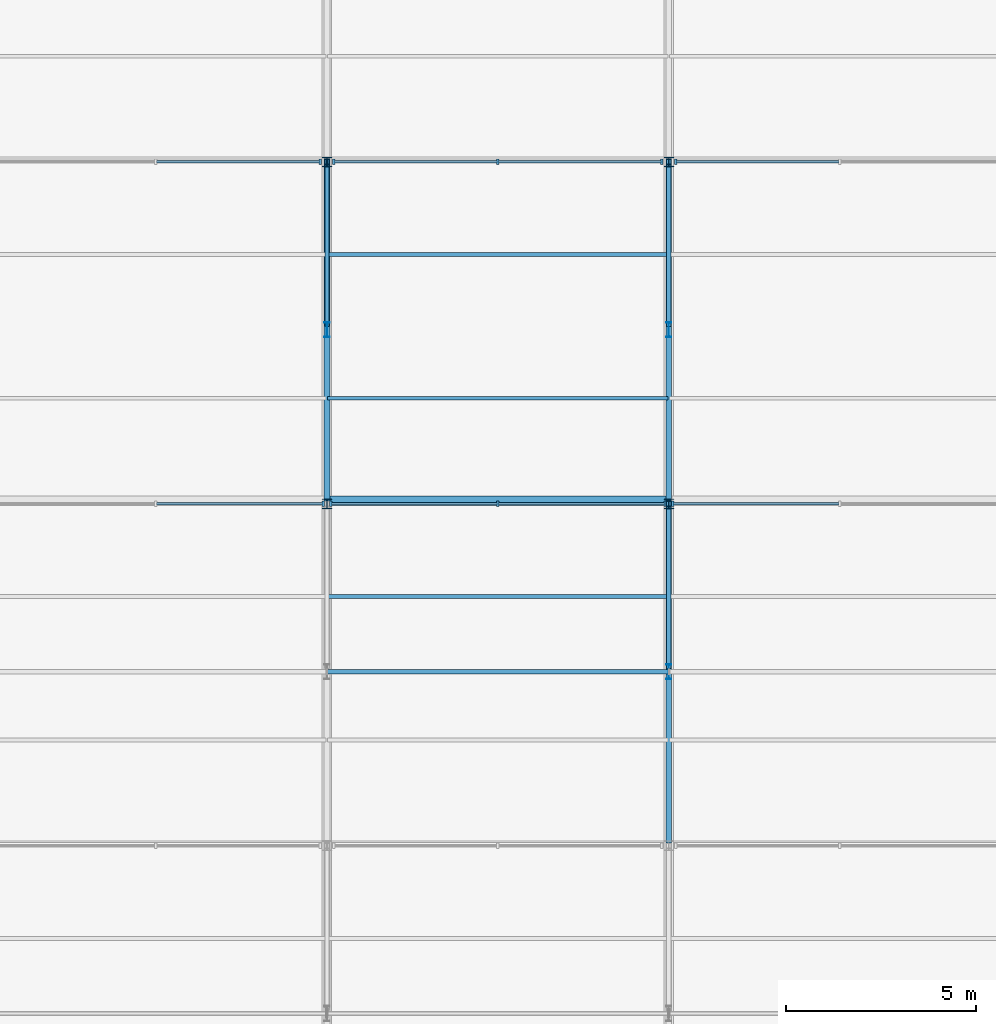
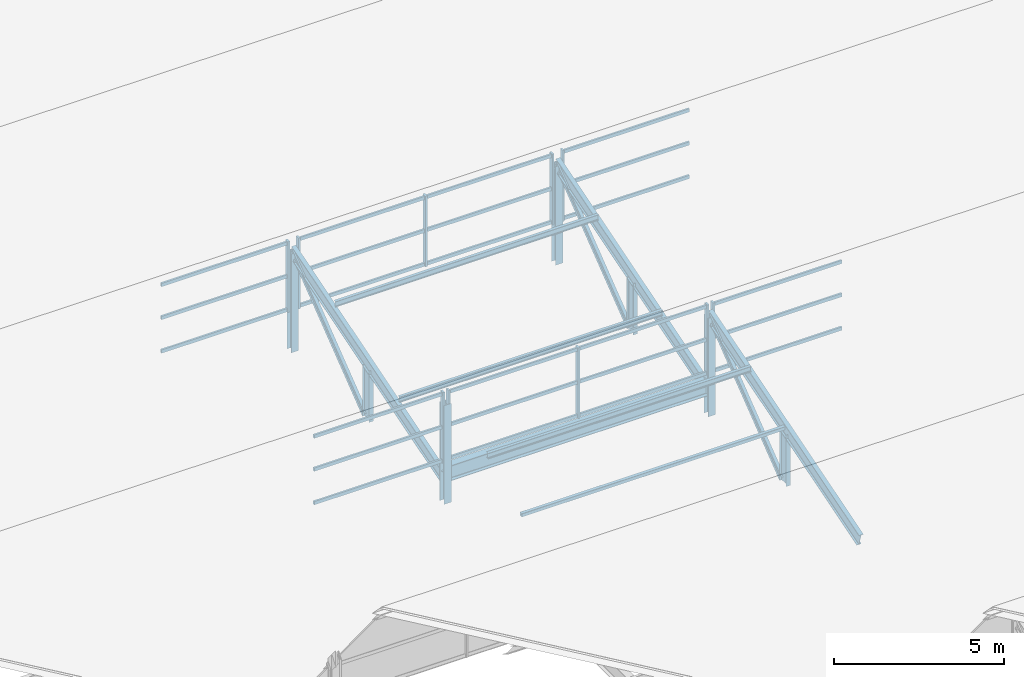
# One storey, part 49 of 163: 51 members, 1 beam, 6 elements without a shape of their own.
"""IFC4 building model written with IfcOpenShell, lengths in metres."""

import ifcopenshell
import ifcopenshell.guid

model = None  # the IFC model being written
_history = None  # IfcOwnerHistory: only IFC2X3 demands one
_inside = {}  # id of a spatial element -> (the spatial element, [elements in it])
_under = {}  # id of a project, library or spatial element -> (it, [spatial elements below it])
_declared = {}  # id of a project -> (the project, [libraries it declares])
_typed = {}  # id of a type object -> (the type object, [elements of that type])
_made_of = {}  # id of a material, layer set ... -> (it, [elements and type objects made of it])


def new_model(schema):
    """Start an empty IFC model of exactly this schema.

    Asked for "IFC4X3", IfcOpenShell would pick the latest addendum, in which some entities
    have other attributes; the version numbers below select the first issue.
    IFC2X3 requires an IfcOwnerHistory on every rooted entity: one is made here for all.
    """
    global model, _history
    if schema == "IFC4X3":
        model = ifcopenshell.file(schema_version=(4, 3, 0, 0))
    else:
        model = ifcopenshell.file(schema=schema)
    _inside.clear()
    _under.clear()
    _declared.clear()
    _typed.clear()
    _made_of.clear()
    _history = None
    if model.schema == "IFC2X3":
        org = make("IfcOrganization", Name="unknown")
        user = make(
            "IfcPersonAndOrganization",
            ThePerson=make("IfcPerson", FamilyName="unknown"),
            TheOrganization=org,
        )
        app = make(
            "IfcApplication",
            ApplicationDeveloper=org,
            Version="unknown",
            ApplicationFullName="unknown",
            ApplicationIdentifier="unknown",
        )
        _history = make(
            "IfcOwnerHistory",
            OwningUser=user,
            OwningApplication=app,
            ChangeAction="ADDED",
            CreationDate=0,
        )
    return model


def make(cls, **values):
    """One entity of the class cls with the attributes given. An attribute that is None is left unset."""
    return model.create_entity(
        cls, **{name: value for name, value in values.items() if value is not None}
    )


def rooted(cls, **values):
    """An entity with a GlobalId (a new one), such as an element, a storey or a relation."""
    return make(cls, GlobalId=ifcopenshell.guid.new(), OwnerHistory=_history, **values)


def si_unit(unit_type, name, prefix=None):
    """IfcSIUnit, for example si_unit("LENGTHUNIT", "METRE", prefix="MILLI")."""
    return make("IfcSIUnit", UnitType=unit_type, Prefix=prefix, Name=name)


def assignment(units):
    """IfcUnitAssignment: the units of a project."""
    return None if units is None else make("IfcUnitAssignment", Units=units)


def point(xyz):
    """IfcCartesianPoint."""
    return None if xyz is None else make("IfcCartesianPoint", Coordinates=xyz)


def direction(xyz):
    """IfcDirection."""
    return None if xyz is None else make("IfcDirection", DirectionRatios=xyz)


def frame(location, z_axis=None, x_axis=None):
    """IfcAxis2Placement3D, a coordinate frame: its origin and axes. An axis left out is left unset."""
    return make(
        "IfcAxis2Placement3D",
        Location=point(location),
        Axis=direction(z_axis),
        RefDirection=direction(x_axis),
    )


def frame_2d(location, x_axis=None):
    """IfcAxis2Placement2D, a coordinate frame in the plane: its origin and x axis."""
    return make(
        "IfcAxis2Placement2D", Location=point(location), RefDirection=direction(x_axis)
    )


def origin():
    """The frame at (0, 0, 0) with its axes left unset."""
    return frame((0.0, 0.0, 0.0))


def origin_2d():
    """The frame at (0, 0) in the plane with its x axis left unset."""
    return frame_2d((0.0, 0.0))


def place(relative_to, where):
    """IfcLocalPlacement: puts the frame where relative to a parent placement (None: the world)."""
    return make(
        "IfcLocalPlacement", PlacementRelTo=relative_to, RelativePlacement=where
    )


def context(
    kind, dimensions, precision=None, world=None, true_north=None, identifier=None
):
    """IfcGeometricRepresentationContext, for example the 3D "Model" context."""
    return make(
        "IfcGeometricRepresentationContext",
        ContextIdentifier=identifier,
        ContextType=kind,
        CoordinateSpaceDimension=dimensions,
        Precision=precision,
        WorldCoordinateSystem=world,
        TrueNorth=true_north,
    )


def subcontext(parent, identifier, kind, view, scale=None):
    """IfcGeometricRepresentationSubContext, for example "Body" below "Model"."""
    return make(
        "IfcGeometricRepresentationSubContext",
        ContextIdentifier=identifier,
        ContextType=kind,
        ParentContext=parent,
        TargetScale=scale,
        TargetView=view,
    )


def project(units=None, contexts=None):
    """IfcProject with its units and contexts."""
    return rooted(
        "IfcProject",
        Name="project",
        RepresentationContexts=contexts,
        UnitsInContext=assignment(units),
    )


def spatial(cls, under=None, at=None, **own):
    """A site, building, storey or space (cls), placed at a placement, below another one or the project."""
    s = rooted(cls, ObjectPlacement=at, **own)
    if under is not None:
        _under.setdefault(under.id(), (under, []))[1].append(s)
    return s


def profile(cls, at=None, kind="AREA", **sizes):
    """A parametric profile (cls). Its sizes go by their IFC names, for example OverallWidth=200.0."""
    return make(cls, ProfileType=kind, Position=at, **sizes)


def rectangle(**sizes):
    """IfcRectangleProfileDef."""
    return profile("IfcRectangleProfileDef", **sizes)


def hollow_rectangle(**sizes):
    """IfcRectangleHollowProfileDef."""
    return profile("IfcRectangleHollowProfileDef", **sizes)


def i_section(**sizes):
    """IfcIShapeProfileDef."""
    return profile("IfcIShapeProfileDef", **sizes)


def extrude(swept, where, along, depth):
    """IfcExtrudedAreaSolid: the profile swept, set in the frame where, extruded along a direction by depth."""
    return make(
        "IfcExtrudedAreaSolid",
        SweptArea=swept,
        Position=where,
        ExtrudedDirection=direction(along),
        Depth=depth,
    )


def shape(context_of_items, identifier, shape_type, items):
    """IfcShapeRepresentation: the items that make up one representation, for example the "Body"."""
    return make(
        "IfcShapeRepresentation",
        ContextOfItems=context_of_items,
        RepresentationIdentifier=identifier,
        RepresentationType=shape_type,
        Items=items,
    )


def material(Name=None, Category=None):
    """IfcMaterial."""
    return make("IfcMaterial", Name=Name, Category=Category)


def material_profile(
    of_material, cross_section, Name=None, Category=None, Priority=None
):
    """IfcMaterialProfile: a cross section and its material."""
    return make(
        "IfcMaterialProfile",
        Name=Name,
        Material=of_material,
        Profile=cross_section,
        Priority=Priority,
        Category=Category,
    )


def profile_set(profiles, Name=None, composite=None):
    """IfcMaterialProfileSet."""
    return make(
        "IfcMaterialProfileSet",
        Name=Name,
        MaterialProfiles=profiles,
        CompositeProfile=composite,
    )


def made_of(thing, what):
    """Note that an element or type object is made of a material, layer set ...; save() writes the relation."""
    if what is not None:
        _made_of.setdefault(what.id(), (what, []))[1].append(thing)
    return thing


def type_object(cls, material=None, **own):
    """A type object (cls), such as IfcWallType, which elements share."""
    return made_of(rooted(cls, **own), material)


def element(
    cls,
    number,
    at=None,
    inside=None,
    cuts=None,
    type_object=None,
    material=None,
    context=None,
    identifier="Body",
    shape_type=None,
    held_by="IfcProductDefinitionShape",
    body=None,
    shapes=None,
    **own,
):
    """One element of the class cls, such as IfcWall. Its Tag is "e" and its number.

    at: its placement. inside: the storey or other place that contains it. cuts: it is an
    opening in that element (IfcRelVoidsElement). A single representation is given by context,
    identifier, shape_type and body (its items); several are given by shapes. held_by: the class
    of the entity that holds the representations. save() writes the other relations.
    """
    e = rooted(cls, Tag="e%d" % number, ObjectPlacement=at, **own)
    if body is not None:
        shapes = [shape(context, identifier, shape_type, body)]
    if shapes is not None:
        e.Representation = make(held_by, Representations=shapes)
    if inside is not None:
        _inside.setdefault(inside.id(), (inside, []))[1].append(e)
    if cuts is not None:
        rooted(
            "IfcRelVoidsElement", RelatingBuildingElement=cuts, RelatedOpeningElement=e
        )
    if type_object is not None:
        _typed.setdefault(type_object.id(), (type_object, []))[1].append(e)
    return made_of(e, material)


def aggregate(whole, parts):
    """IfcRelAggregates: a whole, such as a stair, and the parts it consists of."""
    return rooted("IfcRelAggregates", RelatingObject=whole, RelatedObjects=parts)


def save(model, path):
    """Write the relations noted so far, then the file.

    IfcRelAggregates (storeys below a building ...), IfcRelContainedInSpatialStructure (elements
    in a storey), IfcRelDefinesByType, IfcRelAssociatesMaterial and IfcRelDeclares: one each for
    every whole, place, type object, material and project.
    """
    for whole, parts in _under.values():
        aggregate(whole, parts)
    for where, things in _inside.values():
        rooted(
            "IfcRelContainedInSpatialStructure",
            RelatedElements=things,
            RelatingStructure=where,
        )
    for kind, things in _typed.values():
        rooted("IfcRelDefinesByType", RelatedObjects=things, RelatingType=kind)
    for what, things in _made_of.values():
        rooted("IfcRelAssociatesMaterial", RelatedObjects=things, RelatingMaterial=what)
    for by, libraries in _declared.values():
        rooted("IfcRelDeclares", RelatingContext=by, RelatedDefinitions=libraries)
    model.write(path)


model = new_model("IFC4")

# Units and contexts
model_context = context("Model", 3, precision=1e-05, world=origin(), true_north=direction((0.0, 1.0)))
body_context = subcontext(model_context, "Body", "Model", "MODEL_VIEW")
ifc_project = project(units=[si_unit("LENGTHUNIT", "METRE"), si_unit("AREAUNIT", "SQUARE_METRE"), si_unit("VOLUMEUNIT", "CUBIC_METRE"), si_unit("PLANEANGLEUNIT", "RADIAN"), si_unit("MASSUNIT", "GRAM", prefix="KILO")], contexts=[model_context])

# Site, building, storey
site_placement = place(None, origin())
site = spatial("IfcSite", under=ifc_project, at=site_placement, CompositionType="ELEMENT")
building_placement = place(site_placement, origin())
building = spatial("IfcBuilding", under=site, at=building_placement, Name="Tharagai Park Tramway Depot", CompositionType="ELEMENT")
storey_placement = place(building_placement, frame((0.0, 0.0, 8.39990234375)))
storey = spatial("IfcBuildingStorey", under=building, at=storey_placement, Name="L02", CompositionType="ELEMENT", Elevation=8.39990234375)

# Beam
ifc_material_1 = material(Name="Steel E350", Category="steel")
ifc_material_profile_1 = material_profile(ifc_material_1, i_section(OverallWidth=0.25, OverallDepth=0.550048828125, WebThickness=0.010498046875, FlangeThickness=0.017578125, FilletRadius=0.01611328125, at=origin_2d()), Name="ISWB 550")
ifc_profile_set_1 = profile_set([ifc_material_profile_1], Name="Steel E350")
beam_type = type_object("IfcBeamType", Name="BM-04", PredefinedType="BEAM", material=ifc_profile_set_1)
beam_placement = place(storey_placement, frame((18.080078125, 117.0, 0.72509765625), z_axis=(1.0, 0.0, 0.0), x_axis=(0.0, 1.0, 0.0)))
element("IfcBeam", 1, at=beam_placement, inside=storey, type_object=beam_type, Name="Sawtooth Valley Girder BM-04", PredefinedType="BEAM", context=body_context, shape_type="SweptSolid", body=[
    extrude(i_section(OverallWidth=0.25, OverallDepth=0.550048828125, WebThickness=0.010498046875, FlangeThickness=0.017578125, FilletRadius=0.01611328125, at=origin_2d()), origin(), (0.0, 0.0, 1.0), 8.83984375),
])

# Members
ifc_material_profile_2 = material_profile(ifc_material_1, i_section(OverallWidth=0.25, OverallDepth=0.25, WebThickness=0.0087890625, FlangeThickness=0.009765625, FilletRadius=0.010009765625, at=origin_2d()), Name="ISHB 250")
ifc_profile_set_2 = profile_set([ifc_material_profile_2], Name="Steel E350")
member_type_1 = type_object("IfcMemberType", Name="BR-01", PredefinedType="BRACE", material=ifc_profile_set_2)
for number, where, z_axis, x_axis, name in (
    (2, (18.0, 116.919921875, -0.25), (0.0, 0.0, 1.0), (1.0, 0.0, 0.0), "Sawtooth North Vertical Post BR-01"),
    (3, (18.0, 125.919921875, -0.25), (0.0, 0.0, 1.0), (1.0, 0.0, 0.0), "Sawtooth North Vertical Post BR-01"),
    (4, (27.0, 116.919921875, -0.25), (0.0, 0.0, 1.0), (1.0, 0.0, 0.0), "Sawtooth North Vertical Post BR-01"),
    (5, (27.0, 125.919921875, -0.25), (0.0, 0.0, 1.0), (1.0, 0.0, 0.0), "Sawtooth North Vertical Post BR-01"),
):
    element("IfcMember", number, at=place(storey_placement, frame(where, z_axis=z_axis, x_axis=x_axis)), inside=storey, type_object=member_type_1, Name=name, PredefinedType="BRACE", context=body_context, shape_type="SweptSolid", body=[
        extrude(i_section(OverallWidth=0.25, OverallDepth=0.25, WebThickness=0.0087890625, FlangeThickness=0.009765625, FilletRadius=0.010009765625, at=origin_2d()), origin(), (0.0, 0.0, 1.0), 3.55517578125),
    ])
ifc_material_profile_3 = material_profile(ifc_material_1, i_section(OverallWidth=0.110107421875, OverallDepth=0.22509765625, WebThickness=0.006591796875, FlangeThickness=0.01171875, FilletRadius=0.011962890625, at=origin_2d()), Name="ISMB 225")
ifc_profile_set_3 = profile_set([ifc_material_profile_3], Name="Steel E350")
member_type_2 = type_object("IfcMemberType", Name="BR-04", PredefinedType="BRACE", material=ifc_profile_set_3)
for number, where, z_axis, x_axis, name in (
    (6, (18.0, 121.64990234375, 0.0), (0.0, 0.790781596, 0.612098413188), (-1.0, 0.0, 0.0), "Sawtooth Truss Web Diagonal BR-04"),
    (7, (27.0, 112.64990234375, 0.0), (0.0, 0.790781596, 0.612098413188), (-1.0, 0.0, 0.0), "Sawtooth Truss Web Diagonal BR-04"),
    (8, (27.0, 121.64990234375, 0.0), (0.0, 0.790781596, 0.612098413188), (-1.0, 0.0, 0.0), "Sawtooth Truss Web Diagonal BR-04"),
):
    element("IfcMember", number, at=place(storey_placement, frame(where, z_axis=z_axis, x_axis=x_axis)), inside=storey, type_object=member_type_2, Name=name, PredefinedType="BRACE", context=body_context, shape_type="SweptSolid", body=[
        extrude(i_section(OverallWidth=0.110107421875, OverallDepth=0.22509765625, WebThickness=0.006591796875, FlangeThickness=0.01171875, FilletRadius=0.011962890625, at=origin_2d()), origin(), (0.0, 0.0, 1.0), 5.399658203125),
    ])
ifc_material_2 = material(Name="Steel E250", Category="steel")
ifc_material_profile_4 = material_profile(ifc_material_2, hollow_rectangle(XDim=0.1201171875, YDim=0.1201171875, WallThickness=0.0048828125, InnerFilletRadius=0.0048828125, OuterFilletRadius=0.010009765625, at=origin_2d()), Name="SHS 120x120x5")
ifc_profile_set_4 = profile_set([ifc_material_profile_4], Name="Steel E250")
member_type_3 = type_object("IfcMemberType", Name="BR-08", PredefinedType="BRACE", material=ifc_profile_set_4)
member_1_placement = place(storey_placement, frame((18.02001953125, 112.5, 1.946533203125), z_axis=(1.0, 0.0, 0.0), x_axis=(0.0, 1.0, 0.0)))
element("IfcMember", 9, at=member_1_placement, inside=storey, type_object=member_type_3, Name="Sawtooth Tubular Tie Strut BR-08", PredefinedType="BRACE", context=body_context, shape_type="SweptSolid", body=[
    extrude(hollow_rectangle(XDim=0.1201171875, YDim=0.1201171875, WallThickness=0.0048828125, InnerFilletRadius=0.0048828125, OuterFilletRadius=0.010009765625, at=origin_2d()), origin(), (0.0, 0.0, 1.0), 8.9599609375),
])

# Curtain wall, members
ifc_material_3 = material(Name="Anodised aluminium", Category="aluminium")
curtain_wall_type_1 = type_object("IfcCurtainWallType", Name="CW-04", PredefinedType="NOTDEFINED", material=ifc_material_3)
curtain_wall_1_placement = place(storey_placement, origin())
curtain_wall_1 = element("IfcCurtainWall", 10, at=curtain_wall_1_placement, inside=storey, type_object=curtain_wall_type_1, Name="Sawtooth North-Light Clerestory CW-04", PredefinedType="NOTDEFINED")
ifc_material_profile_5 = material_profile(ifc_material_3, rectangle(XDim=0.06494140625, YDim=0.1201171875, at=origin_2d()), Name="ALU 65x120")
ifc_profile_set_5 = profile_set([ifc_material_profile_5], Name="Anodised aluminium")
member_type_4 = type_object("IfcMemberType", Name="CM-01", PredefinedType="USERDEFINED", material=ifc_profile_set_5)
member_2_placement = place(storey_placement, frame((13.514892578125, 116.919921875, 1.26513671875), z_axis=(1.0, 0.0, 0.0), x_axis=(0.0, 1.0, 0.0)))
member_2 = element("IfcMember", 11, at=member_2_placement, type_object=member_type_4, Name="Sawtooth North-Light Clerestory Transom 2.1", ObjectType="TRANSOM", PredefinedType="USERDEFINED", context=body_context, shape_type="SweptSolid", body=[
    extrude(rectangle(XDim=0.06494140625, YDim=0.1201171875, at=origin_2d()), origin(), (0.0, 0.0, 1.0), 4.3701171875),
])
member_3_placement = place(storey_placement, frame((13.514892578125, 116.919921875, 2.4736328125), z_axis=(1.0, 0.0, 0.0), x_axis=(0.0, 1.0, 0.0)))
member_3 = element("IfcMember", 12, at=member_3_placement, type_object=member_type_4, Name="Sawtooth North-Light Clerestory Transom 2.2", ObjectType="TRANSOM", PredefinedType="USERDEFINED", context=body_context, shape_type="SweptSolid", body=[
    extrude(rectangle(XDim=0.06494140625, YDim=0.1201171875, at=origin_2d()), origin(), (0.0, 0.0, 1.0), 4.3701171875),
])
member_4_placement = place(storey_placement, frame((13.514892578125, 116.919921875, 3.662353515625), z_axis=(1.0, 0.0, 0.0), x_axis=(0.0, 1.0, 0.0)))
member_4 = element("IfcMember", 13, at=member_4_placement, type_object=member_type_4, Name="Sawtooth North-Light Clerestory Transom 2.3", ObjectType="TRANSOM", PredefinedType="USERDEFINED", context=body_context, shape_type="SweptSolid", body=[
    extrude(rectangle(XDim=0.06494140625, YDim=0.1201171875, at=origin_2d()), origin(), (0.0, 0.0, 1.0), 4.3701171875),
])

curtain_wall_2_placement = place(storey_placement, origin())
curtain_wall_2 = element("IfcCurtainWall", 14, at=curtain_wall_2_placement, inside=storey, type_object=curtain_wall_type_1, Name="Sawtooth North-Light Clerestory CW-04", PredefinedType="NOTDEFINED")
member_5_placement = place(storey_placement, frame((18.114990234375, 116.919921875, 1.26513671875), z_axis=(1.0, 0.0, 0.0), x_axis=(0.0, 1.0, 0.0)))
member_5 = element("IfcMember", 15, at=member_5_placement, type_object=member_type_4, Name="Sawtooth North-Light Clerestory Transom 1.1", ObjectType="TRANSOM", PredefinedType="USERDEFINED", context=body_context, shape_type="SweptSolid", body=[
    extrude(rectangle(XDim=0.06494140625, YDim=0.1201171875, at=origin_2d()), origin(), (0.0, 0.0, 1.0), 4.3701171875),
])
member_6_placement = place(storey_placement, frame((18.114990234375, 116.919921875, 2.4736328125), z_axis=(1.0, 0.0, 0.0), x_axis=(0.0, 1.0, 0.0)))
member_6 = element("IfcMember", 16, at=member_6_placement, type_object=member_type_4, Name="Sawtooth North-Light Clerestory Transom 1.2", ObjectType="TRANSOM", PredefinedType="USERDEFINED", context=body_context, shape_type="SweptSolid", body=[
    extrude(rectangle(XDim=0.06494140625, YDim=0.1201171875, at=origin_2d()), origin(), (0.0, 0.0, 1.0), 4.3701171875),
])
member_7_placement = place(storey_placement, frame((18.114990234375, 116.919921875, 3.662353515625), z_axis=(1.0, 0.0, 0.0), x_axis=(0.0, 1.0, 0.0)))
member_7 = element("IfcMember", 17, at=member_7_placement, type_object=member_type_4, Name="Sawtooth North-Light Clerestory Transom 1.3", ObjectType="TRANSOM", PredefinedType="USERDEFINED", context=body_context, shape_type="SweptSolid", body=[
    extrude(rectangle(XDim=0.06494140625, YDim=0.1201171875, at=origin_2d()), origin(), (0.0, 0.0, 1.0), 4.3701171875),
])
member_8_placement = place(storey_placement, frame((22.514892578125, 116.919921875, 1.26513671875), z_axis=(1.0, 0.0, 0.0), x_axis=(0.0, 1.0, 0.0)))
member_8 = element("IfcMember", 18, at=member_8_placement, type_object=member_type_4, Name="Sawtooth North-Light Clerestory Transom 2.1", ObjectType="TRANSOM", PredefinedType="USERDEFINED", context=body_context, shape_type="SweptSolid", body=[
    extrude(rectangle(XDim=0.06494140625, YDim=0.1201171875, at=origin_2d()), origin(), (0.0, 0.0, 1.0), 4.3701171875),
])
member_9_placement = place(storey_placement, frame((22.514892578125, 116.919921875, 2.4736328125), z_axis=(1.0, 0.0, 0.0), x_axis=(0.0, 1.0, 0.0)))
member_9 = element("IfcMember", 19, at=member_9_placement, type_object=member_type_4, Name="Sawtooth North-Light Clerestory Transom 2.2", ObjectType="TRANSOM", PredefinedType="USERDEFINED", context=body_context, shape_type="SweptSolid", body=[
    extrude(rectangle(XDim=0.06494140625, YDim=0.1201171875, at=origin_2d()), origin(), (0.0, 0.0, 1.0), 4.3701171875),
])
member_10_placement = place(storey_placement, frame((22.514892578125, 116.919921875, 3.662353515625), z_axis=(1.0, 0.0, 0.0), x_axis=(0.0, 1.0, 0.0)))
member_10 = element("IfcMember", 20, at=member_10_placement, type_object=member_type_4, Name="Sawtooth North-Light Clerestory Transom 2.3", ObjectType="TRANSOM", PredefinedType="USERDEFINED", context=body_context, shape_type="SweptSolid", body=[
    extrude(rectangle(XDim=0.06494140625, YDim=0.1201171875, at=origin_2d()), origin(), (0.0, 0.0, 1.0), 4.3701171875),
])

curtain_wall_3_placement = place(storey_placement, origin())
curtain_wall_3 = element("IfcCurtainWall", 21, at=curtain_wall_3_placement, inside=storey, type_object=curtain_wall_type_1, Name="Sawtooth North-Light Clerestory CW-04", PredefinedType="NOTDEFINED")
member_11_placement = place(storey_placement, frame((27.114990234375, 116.919921875, 1.26513671875), z_axis=(1.0, 0.0, 0.0), x_axis=(0.0, 1.0, 0.0)))
member_11 = element("IfcMember", 22, at=member_11_placement, type_object=member_type_4, Name="Sawtooth North-Light Clerestory Transom 1.1", ObjectType="TRANSOM", PredefinedType="USERDEFINED", context=body_context, shape_type="SweptSolid", body=[
    extrude(rectangle(XDim=0.06494140625, YDim=0.1201171875, at=origin_2d()), origin(), (0.0, 0.0, 1.0), 4.3701171875),
])
member_12_placement = place(storey_placement, frame((27.114990234375, 116.919921875, 2.4736328125), z_axis=(1.0, 0.0, 0.0), x_axis=(0.0, 1.0, 0.0)))
member_12 = element("IfcMember", 23, at=member_12_placement, type_object=member_type_4, Name="Sawtooth North-Light Clerestory Transom 1.2", ObjectType="TRANSOM", PredefinedType="USERDEFINED", context=body_context, shape_type="SweptSolid", body=[
    extrude(rectangle(XDim=0.06494140625, YDim=0.1201171875, at=origin_2d()), origin(), (0.0, 0.0, 1.0), 4.3701171875),
])
member_13_placement = place(storey_placement, frame((27.114990234375, 116.919921875, 3.662353515625), z_axis=(1.0, 0.0, 0.0), x_axis=(0.0, 1.0, 0.0)))
member_13 = element("IfcMember", 24, at=member_13_placement, type_object=member_type_4, Name="Sawtooth North-Light Clerestory Transom 1.3", ObjectType="TRANSOM", PredefinedType="USERDEFINED", context=body_context, shape_type="SweptSolid", body=[
    extrude(rectangle(XDim=0.06494140625, YDim=0.1201171875, at=origin_2d()), origin(), (0.0, 0.0, 1.0), 4.3701171875),
])

curtain_wall_type_2 = type_object("IfcCurtainWallType", Name="CW-03", PredefinedType="NOTDEFINED", material=ifc_material_3)
curtain_wall_4_placement = place(storey_placement, origin())
curtain_wall_4 = element("IfcCurtainWall", 25, at=curtain_wall_4_placement, inside=storey, type_object=curtain_wall_type_2, Name="Sawtooth North-Light Clerestory CW-03", PredefinedType="NOTDEFINED")
member_14_placement = place(storey_placement, frame((13.514892578125, 125.919921875, 1.26513671875), z_axis=(1.0, 0.0, 0.0), x_axis=(0.0, 1.0, 0.0)))
member_14 = element("IfcMember", 26, at=member_14_placement, type_object=member_type_4, Name="Sawtooth North-Light Clerestory Transom 2.1", ObjectType="TRANSOM", PredefinedType="USERDEFINED", context=body_context, shape_type="SweptSolid", body=[
    extrude(rectangle(XDim=0.06494140625, YDim=0.1201171875, at=origin_2d()), origin(), (0.0, 0.0, 1.0), 4.2900390625),
])
member_15_placement = place(storey_placement, frame((13.514892578125, 125.919921875, 2.4736328125), z_axis=(1.0, 0.0, 0.0), x_axis=(0.0, 1.0, 0.0)))
member_15 = element("IfcMember", 27, at=member_15_placement, type_object=member_type_4, Name="Sawtooth North-Light Clerestory Transom 2.2", ObjectType="TRANSOM", PredefinedType="USERDEFINED", context=body_context, shape_type="SweptSolid", body=[
    extrude(rectangle(XDim=0.06494140625, YDim=0.1201171875, at=origin_2d()), origin(), (0.0, 0.0, 1.0), 4.2900390625),
])
member_16_placement = place(storey_placement, frame((13.514892578125, 125.919921875, 3.662353515625), z_axis=(1.0, 0.0, 0.0), x_axis=(0.0, 1.0, 0.0)))
member_16 = element("IfcMember", 28, at=member_16_placement, type_object=member_type_4, Name="Sawtooth North-Light Clerestory Transom 2.3", ObjectType="TRANSOM", PredefinedType="USERDEFINED", context=body_context, shape_type="SweptSolid", body=[
    extrude(rectangle(XDim=0.06494140625, YDim=0.1201171875, at=origin_2d()), origin(), (0.0, 0.0, 1.0), 4.2900390625),
])

curtain_wall_5_placement = place(storey_placement, origin())
curtain_wall_5 = element("IfcCurtainWall", 29, at=curtain_wall_5_placement, inside=storey, type_object=curtain_wall_type_2, Name="Sawtooth North-Light Clerestory CW-03", PredefinedType="NOTDEFINED")
member_17_placement = place(storey_placement, frame((18.195068359375, 125.919921875, 1.26513671875), z_axis=(1.0, 0.0, 0.0), x_axis=(0.0, 1.0, 0.0)))
member_17 = element("IfcMember", 30, at=member_17_placement, type_object=member_type_4, Name="Sawtooth North-Light Clerestory Transom 1.1", ObjectType="TRANSOM", PredefinedType="USERDEFINED", context=body_context, shape_type="SweptSolid", body=[
    extrude(rectangle(XDim=0.06494140625, YDim=0.1201171875, at=origin_2d()), origin(), (0.0, 0.0, 1.0), 4.2900390625),
])
member_18_placement = place(storey_placement, frame((18.195068359375, 125.919921875, 2.4736328125), z_axis=(1.0, 0.0, 0.0), x_axis=(0.0, 1.0, 0.0)))
member_18 = element("IfcMember", 31, at=member_18_placement, type_object=member_type_4, Name="Sawtooth North-Light Clerestory Transom 1.2", ObjectType="TRANSOM", PredefinedType="USERDEFINED", context=body_context, shape_type="SweptSolid", body=[
    extrude(rectangle(XDim=0.06494140625, YDim=0.1201171875, at=origin_2d()), origin(), (0.0, 0.0, 1.0), 4.2900390625),
])
member_19_placement = place(storey_placement, frame((18.195068359375, 125.919921875, 3.662353515625), z_axis=(1.0, 0.0, 0.0), x_axis=(0.0, 1.0, 0.0)))
member_19 = element("IfcMember", 32, at=member_19_placement, type_object=member_type_4, Name="Sawtooth North-Light Clerestory Transom 1.3", ObjectType="TRANSOM", PredefinedType="USERDEFINED", context=body_context, shape_type="SweptSolid", body=[
    extrude(rectangle(XDim=0.06494140625, YDim=0.1201171875, at=origin_2d()), origin(), (0.0, 0.0, 1.0), 4.2900390625),
])
member_20_placement = place(storey_placement, frame((22.514892578125, 125.919921875, 1.26513671875), z_axis=(1.0, 0.0, 0.0), x_axis=(0.0, 1.0, 0.0)))
member_20 = element("IfcMember", 33, at=member_20_placement, type_object=member_type_4, Name="Sawtooth North-Light Clerestory Transom 2.1", ObjectType="TRANSOM", PredefinedType="USERDEFINED", context=body_context, shape_type="SweptSolid", body=[
    extrude(rectangle(XDim=0.06494140625, YDim=0.1201171875, at=origin_2d()), origin(), (0.0, 0.0, 1.0), 4.2900390625),
])
member_21_placement = place(storey_placement, frame((22.514892578125, 125.919921875, 2.4736328125), z_axis=(1.0, 0.0, 0.0), x_axis=(0.0, 1.0, 0.0)))
member_21 = element("IfcMember", 34, at=member_21_placement, type_object=member_type_4, Name="Sawtooth North-Light Clerestory Transom 2.2", ObjectType="TRANSOM", PredefinedType="USERDEFINED", context=body_context, shape_type="SweptSolid", body=[
    extrude(rectangle(XDim=0.06494140625, YDim=0.1201171875, at=origin_2d()), origin(), (0.0, 0.0, 1.0), 4.2900390625),
])
member_22_placement = place(storey_placement, frame((22.514892578125, 125.919921875, 3.662353515625), z_axis=(1.0, 0.0, 0.0), x_axis=(0.0, 1.0, 0.0)))
member_22 = element("IfcMember", 35, at=member_22_placement, type_object=member_type_4, Name="Sawtooth North-Light Clerestory Transom 2.3", ObjectType="TRANSOM", PredefinedType="USERDEFINED", context=body_context, shape_type="SweptSolid", body=[
    extrude(rectangle(XDim=0.06494140625, YDim=0.1201171875, at=origin_2d()), origin(), (0.0, 0.0, 1.0), 4.2900390625),
])

curtain_wall_6_placement = place(storey_placement, origin())
curtain_wall_6 = element("IfcCurtainWall", 36, at=curtain_wall_6_placement, inside=storey, type_object=curtain_wall_type_2, Name="Sawtooth North-Light Clerestory CW-03", PredefinedType="NOTDEFINED")
member_23_placement = place(storey_placement, frame((27.195068359375, 125.919921875, 1.26513671875), z_axis=(1.0, 0.0, 0.0), x_axis=(0.0, 1.0, 0.0)))
member_23 = element("IfcMember", 37, at=member_23_placement, type_object=member_type_4, Name="Sawtooth North-Light Clerestory Transom 1.1", ObjectType="TRANSOM", PredefinedType="USERDEFINED", context=body_context, shape_type="SweptSolid", body=[
    extrude(rectangle(XDim=0.06494140625, YDim=0.1201171875, at=origin_2d()), origin(), (0.0, 0.0, 1.0), 4.2900390625),
])
member_24_placement = place(storey_placement, frame((27.195068359375, 125.919921875, 2.4736328125), z_axis=(1.0, 0.0, 0.0), x_axis=(0.0, 1.0, 0.0)))
member_24 = element("IfcMember", 38, at=member_24_placement, type_object=member_type_4, Name="Sawtooth North-Light Clerestory Transom 1.2", ObjectType="TRANSOM", PredefinedType="USERDEFINED", context=body_context, shape_type="SweptSolid", body=[
    extrude(rectangle(XDim=0.06494140625, YDim=0.1201171875, at=origin_2d()), origin(), (0.0, 0.0, 1.0), 4.2900390625),
])
member_25_placement = place(storey_placement, frame((27.195068359375, 125.919921875, 3.662353515625), z_axis=(1.0, 0.0, 0.0), x_axis=(0.0, 1.0, 0.0)))
member_25 = element("IfcMember", 39, at=member_25_placement, type_object=member_type_4, Name="Sawtooth North-Light Clerestory Transom 1.3", ObjectType="TRANSOM", PredefinedType="USERDEFINED", context=body_context, shape_type="SweptSolid", body=[
    extrude(rectangle(XDim=0.06494140625, YDim=0.1201171875, at=origin_2d()), origin(), (0.0, 0.0, 1.0), 4.2900390625),
])

# Member
ifc_material_profile_6 = material_profile(ifc_material_3, rectangle(XDim=0.06494140625, YDim=0.14990234375, at=origin_2d()), Name="ALU 65x150")
ifc_profile_set_6 = profile_set([ifc_material_profile_6], Name="Anodised aluminium")
member_type_5 = type_object("IfcMemberType", Name="CM-03", PredefinedType="MULLION", material=ifc_profile_set_6)
member_26_placement = place(storey_placement, frame((17.89990234375, 116.919921875, 1.2001953125), z_axis=(0.0, 0.0, 1.0), x_axis=(1.0, 0.0, 0.0)))
member_26 = element("IfcMember", 40, at=member_26_placement, type_object=member_type_5, Name="Sawtooth North-Light Clerestory Mullion 3", PredefinedType="MULLION", context=body_context, shape_type="SweptSolid", body=[
    extrude(rectangle(XDim=0.06494140625, YDim=0.14990234375, at=origin_2d()), origin(), (0.0, 0.0, 1.0), 2.547119140625),
])

aggregate(curtain_wall_1, [member_26, member_2, member_3, member_4])

member_27_placement = place(storey_placement, frame((18.10009765625, 116.919921875, 1.2001953125), z_axis=(0.0, 0.0, 1.0), x_axis=(1.0, 0.0, 0.0)))
member_27 = element("IfcMember", 41, at=member_27_placement, type_object=member_type_5, Name="Sawtooth North-Light Clerestory Mullion 1", PredefinedType="MULLION", context=body_context, shape_type="SweptSolid", body=[
    extrude(rectangle(XDim=0.06494140625, YDim=0.14990234375, at=origin_2d()), origin(), (0.0, 0.0, 1.0), 2.547119140625),
])

member_28_placement = place(storey_placement, frame((22.5, 116.919921875, 1.2001953125), z_axis=(0.0, 0.0, 1.0), x_axis=(1.0, 0.0, 0.0)))
member_28 = element("IfcMember", 42, at=member_28_placement, type_object=member_type_5, Name="Sawtooth North-Light Clerestory Mullion 2", PredefinedType="MULLION", context=body_context, shape_type="SweptSolid", body=[
    extrude(rectangle(XDim=0.06494140625, YDim=0.14990234375, at=origin_2d()), origin(), (0.0, 0.0, 1.0), 2.547119140625),
])

member_29_placement = place(storey_placement, frame((26.89990234375, 116.919921875, 1.2001953125), z_axis=(0.0, 0.0, 1.0), x_axis=(1.0, 0.0, 0.0)))
member_29 = element("IfcMember", 43, at=member_29_placement, type_object=member_type_5, Name="Sawtooth North-Light Clerestory Mullion 3", PredefinedType="MULLION", context=body_context, shape_type="SweptSolid", body=[
    extrude(rectangle(XDim=0.06494140625, YDim=0.14990234375, at=origin_2d()), origin(), (0.0, 0.0, 1.0), 2.547119140625),
])

aggregate(curtain_wall_2, [member_27, member_28, member_29, member_5, member_6, member_7, member_8, member_9, member_10])

member_30_placement = place(storey_placement, frame((27.10009765625, 116.919921875, 1.2001953125), z_axis=(0.0, 0.0, 1.0), x_axis=(1.0, 0.0, 0.0)))
member_30 = element("IfcMember", 44, at=member_30_placement, type_object=member_type_5, Name="Sawtooth North-Light Clerestory Mullion 1", PredefinedType="MULLION", context=body_context, shape_type="SweptSolid", body=[
    extrude(rectangle(XDim=0.06494140625, YDim=0.14990234375, at=origin_2d()), origin(), (0.0, 0.0, 1.0), 2.547119140625),
])

aggregate(curtain_wall_3, [member_30, member_11, member_12, member_13])

member_31_placement = place(storey_placement, frame((17.820068359375, 125.919921875, 1.2001953125), z_axis=(0.0, 0.0, 1.0), x_axis=(1.0, 0.0, 0.0)))
member_31 = element("IfcMember", 45, at=member_31_placement, type_object=member_type_5, Name="Sawtooth North-Light Clerestory Mullion 3", PredefinedType="MULLION", context=body_context, shape_type="SweptSolid", body=[
    extrude(rectangle(XDim=0.06494140625, YDim=0.14990234375, at=origin_2d()), origin(), (0.0, 0.0, 1.0), 2.547119140625),
])

aggregate(curtain_wall_4, [member_31, member_14, member_15, member_16])

member_32_placement = place(storey_placement, frame((18.179931640625, 125.919921875, 1.2001953125), z_axis=(0.0, 0.0, 1.0), x_axis=(1.0, 0.0, 0.0)))
member_32 = element("IfcMember", 46, at=member_32_placement, type_object=member_type_5, Name="Sawtooth North-Light Clerestory Mullion 1", PredefinedType="MULLION", context=body_context, shape_type="SweptSolid", body=[
    extrude(rectangle(XDim=0.06494140625, YDim=0.14990234375, at=origin_2d()), origin(), (0.0, 0.0, 1.0), 2.547119140625),
])

member_33_placement = place(storey_placement, frame((22.5, 125.919921875, 1.2001953125), z_axis=(0.0, 0.0, 1.0), x_axis=(1.0, 0.0, 0.0)))
member_33 = element("IfcMember", 47, at=member_33_placement, type_object=member_type_5, Name="Sawtooth North-Light Clerestory Mullion 2", PredefinedType="MULLION", context=body_context, shape_type="SweptSolid", body=[
    extrude(rectangle(XDim=0.06494140625, YDim=0.14990234375, at=origin_2d()), origin(), (0.0, 0.0, 1.0), 2.547119140625),
])

member_34_placement = place(storey_placement, frame((26.820068359375, 125.919921875, 1.2001953125), z_axis=(0.0, 0.0, 1.0), x_axis=(1.0, 0.0, 0.0)))
member_34 = element("IfcMember", 48, at=member_34_placement, type_object=member_type_5, Name="Sawtooth North-Light Clerestory Mullion 3", PredefinedType="MULLION", context=body_context, shape_type="SweptSolid", body=[
    extrude(rectangle(XDim=0.06494140625, YDim=0.14990234375, at=origin_2d()), origin(), (0.0, 0.0, 1.0), 2.547119140625),
])

aggregate(curtain_wall_5, [member_32, member_33, member_34, member_17, member_18, member_19, member_20, member_21, member_22])

member_35_placement = place(storey_placement, frame((27.179931640625, 125.919921875, 1.2001953125), z_axis=(0.0, 0.0, 1.0), x_axis=(1.0, 0.0, 0.0)))
member_35 = element("IfcMember", 49, at=member_35_placement, type_object=member_type_5, Name="Sawtooth North-Light Clerestory Mullion 1", PredefinedType="MULLION", context=body_context, shape_type="SweptSolid", body=[
    extrude(rectangle(XDim=0.06494140625, YDim=0.14990234375, at=origin_2d()), origin(), (0.0, 0.0, 1.0), 2.547119140625),
])

aggregate(curtain_wall_6, [member_35, member_23, member_24, member_25])

# Members
ifc_material_profile_7 = material_profile(ifc_material_2, i_section(OverallWidth=0.10009765625, OverallDepth=0.199951171875, WebThickness=0.00537109375, FlangeThickness=0.00732421875, FilletRadius=0.009033203125, at=origin_2d()), Name="ISLB 200")
ifc_profile_set_7 = profile_set([ifc_material_profile_7], Name="Steel E250")
member_type_6 = type_object("IfcMemberType", Name="PR-03", PredefinedType="PURLIN", material=ifc_profile_set_7)
for number, where, z_axis, x_axis, name in (
    (50, (18.02001953125, 119.699951171875, 1.733154296875), (1.0, 0.0, 0.0), (0.0, 1.0, 0.0), "Sawtooth Roof Purlin PR-03"),
    (51, (18.02001953125, 123.47998046875, 2.87451171875), (1.0, 0.0, 0.0), (0.0, 1.0, 0.0), "Sawtooth Roof Purlin PR-03"),
):
    element("IfcMember", number, at=place(storey_placement, frame(where, z_axis=z_axis, x_axis=x_axis)), inside=storey, type_object=member_type_6, Name=name, PredefinedType="PURLIN", context=body_context, shape_type="SweptSolid", body=[
        extrude(i_section(OverallWidth=0.10009765625, OverallDepth=0.199951171875, WebThickness=0.00537109375, FlangeThickness=0.00732421875, FilletRadius=0.009033203125, at=origin_2d()), origin(), (0.0, 0.0, 1.0), 8.9599609375),
    ])
ifc_material_profile_8 = material_profile(ifc_material_2, i_section(OverallWidth=0.10009765625, OverallDepth=0.199951171875, WebThickness=0.005615234375, FlangeThickness=0.0107421875, FilletRadius=0.010986328125, at=origin_2d()), Name="ISMB 200")
ifc_profile_set_8 = profile_set([ifc_material_profile_8], Name="Steel E250")
member_type_7 = type_object("IfcMemberType", Name="PR-04", PredefinedType="PURLIN", material=ifc_profile_set_8)
member_36_placement = place(storey_placement, frame((18.02001953125, 114.47998046875, 2.87451171875), z_axis=(1.0, 0.0, 0.0), x_axis=(0.0, 1.0, 0.0)))
element("IfcMember", 52, at=member_36_placement, inside=storey, type_object=member_type_7, Name="Sawtooth Roof Purlin PR-04", PredefinedType="PURLIN", context=body_context, shape_type="SweptSolid", body=[
    extrude(i_section(OverallWidth=0.10009765625, OverallDepth=0.199951171875, WebThickness=0.005615234375, FlangeThickness=0.0107421875, FilletRadius=0.010986328125, at=origin_2d()), origin(), (0.0, 0.0, 1.0), 8.9599609375),
])
ifc_material_profile_9 = material_profile(ifc_material_1, i_section(OverallWidth=0.14990234375, OverallDepth=0.449951171875, WebThickness=0.009521484375, FlangeThickness=0.017333984375, FilletRadius=0.014892578125, at=origin_2d()), Name="ISMB 450")
ifc_profile_set_9 = profile_set([ifc_material_profile_9], Name="Steel E350")
member_type_8 = type_object("IfcMemberType", Name="TC-05", PredefinedType="CHORD", material=ifc_profile_set_9)
for number, where, z_axis, x_axis, name in (
    (53, (18.0, 117.06005859375, 0.587890625), (0.0, 0.956231486327, 0.29261125159), (-1.0, 0.0, 0.0), "Sawtooth Top Chord TC-05"),
    (54, (27.0, 108.06005859375, 0.587890625), (0.0, 0.956231486327, 0.29261125159), (-1.0, 0.0, 0.0), "Sawtooth Top Chord TC-05"),
    (55, (27.0, 117.06005859375, 0.587890625), (0.0, 0.956231486327, 0.29261125159), (-1.0, 0.0, 0.0), "Sawtooth Top Chord TC-05"),
):
    element("IfcMember", number, at=place(storey_placement, frame(where, z_axis=z_axis, x_axis=x_axis)), inside=storey, type_object=member_type_8, Name=name, PredefinedType="CHORD", context=body_context, shape_type="SweptSolid", body=[
        extrude(i_section(OverallWidth=0.14990234375, OverallDepth=0.449951171875, WebThickness=0.009521484375, FlangeThickness=0.017333984375, FilletRadius=0.014892578125, at=origin_2d()), origin(), (0.0, 0.0, 1.0), 9.286376953125),
    ])
ifc_material_profile_10 = material_profile(ifc_material_1, i_section(OverallWidth=0.139892578125, OverallDepth=0.39990234375, WebThickness=0.0087890625, FlangeThickness=0.01611328125, FilletRadius=0.013916015625, at=origin_2d()), Name="ISMB 400")
ifc_profile_set_10 = profile_set([ifc_material_profile_10], Name="Steel E350")
member_type_9 = type_object("IfcMemberType", Name="TC-06", PredefinedType="CHORD", material=ifc_profile_set_10)
for number, where, z_axis, x_axis, name in (
    (56, (18.0, 121.5, -0.0498046875), (0.0, 0.0, 1.0), (1.0, 0.0, 0.0), "Sawtooth Mid-Tooth Strut TC-06"),
    (57, (27.0, 112.5, -0.0498046875), (0.0, 0.0, 1.0), (1.0, 0.0, 0.0), "Sawtooth Mid-Tooth Strut TC-06"),
    (58, (27.0, 121.5, -0.0498046875), (0.0, 0.0, 1.0), (1.0, 0.0, 0.0), "Sawtooth Mid-Tooth Strut TC-06"),
):
    element("IfcMember", number, at=place(storey_placement, frame(where, z_axis=z_axis, x_axis=x_axis)), inside=storey, type_object=member_type_9, Name=name, PredefinedType="CHORD", context=body_context, shape_type="SweptSolid", body=[
        extrude(i_section(OverallWidth=0.139892578125, OverallDepth=0.39990234375, WebThickness=0.0087890625, FlangeThickness=0.01611328125, FilletRadius=0.013916015625, at=origin_2d()), origin(), (0.0, 0.0, 1.0), 1.846435546875),
    ])

save(model, "model.ifc")
